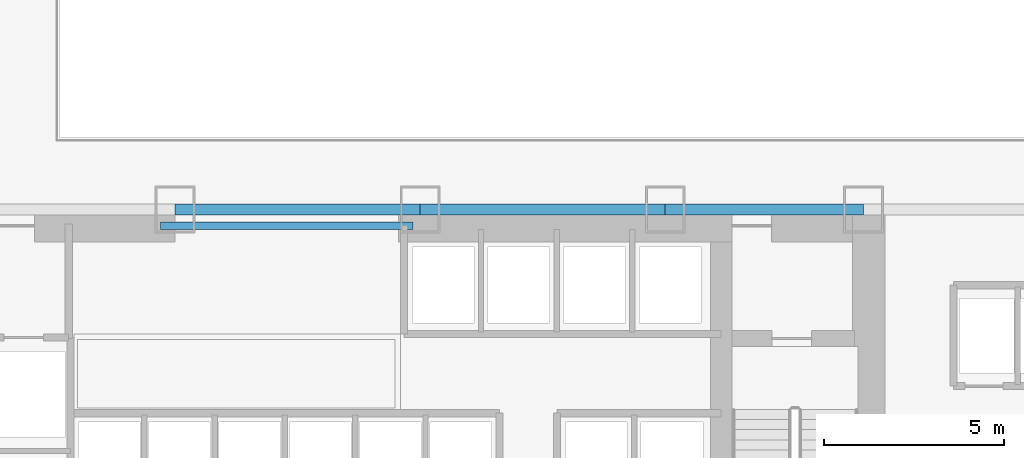
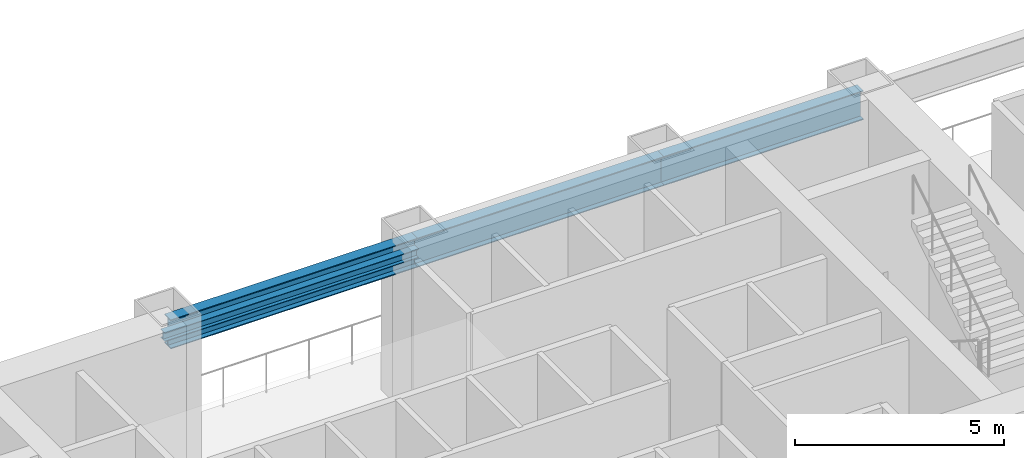
# One storey, part 7 of 39: 4 beams.
"""IFC4 building model written with IfcOpenShell, lengths in metres."""

from ifc_helpers import new_model, si_unit, derived_unit, direction, frame, origin, origin_2d, place, context, subcontext, project, spatial, i_section, extrude, source, transform, mapped, material, material_profile, profile_set, type_object, element, save


model = new_model("IFC4")

# Units and contexts
model_context = context("Model", 3, precision=1e-05, world=origin(), true_north=direction((0.0, 1.0)))
body_context = subcontext(model_context, "Body", "Model", "MODEL_VIEW")
ifc_project = project(units=[si_unit("LENGTHUNIT", "METRE"), si_unit("AREAUNIT", "SQUARE_METRE"), si_unit("VOLUMEUNIT", "CUBIC_METRE"), si_unit("PLANEANGLEUNIT", "RADIAN"), si_unit("MASSUNIT", "GRAM", prefix="KILO"), derived_unit("THERMALTRANSMITTANCEUNIT", [(si_unit("POWERUNIT", "WATT"), 1), (si_unit("LENGTHUNIT", "METRE"), -2), (si_unit("THERMODYNAMICTEMPERATUREUNIT", "KELVIN"), -1)])], contexts=[model_context])

# Site, building, storey
site_placement = place(None, origin())
site = spatial("IfcSite", under=ifc_project, at=site_placement, CompositionType="ELEMENT")
building_placement = place(site_placement, origin())
building = spatial("IfcBuilding", under=site, at=building_placement, Name="Skarnbrae Concourse Arena and Tower", CompositionType="ELEMENT")
storey_placement = place(building_placement, frame((0.0, 0.0, 16.0)))
storey = spatial("IfcBuildingStorey", under=building, at=storey_placement, Name="L03", CompositionType="ELEMENT", Elevation=16.0)

# Beams
ifc_material = material(Name="Steel CSA G40.21 350W", Category="steel")
ifc_material_profile_1 = material_profile(ifc_material, i_section(OverallWidth=0.202880859375, OverallDepth=0.251953125, WebThickness=0.008056640625, FlangeThickness=0.013427734375, at=origin_2d()), Name="W250X58")
ifc_profile_set_1 = profile_set([ifc_material_profile_1], Name="Steel CSA G40.21 350W")
beam_type_1 = type_object("IfcBeamType", Name="BM-LINTEL-W250X58", PredefinedType="LINTEL", material=ifc_profile_set_1)
shared_shape_1 = source(origin(), body_context, "Body", "SweptSolid", [
    extrude(i_section(OverallWidth=0.202880859375, OverallDepth=0.251953125, WebThickness=0.008056640625, FlangeThickness=0.013427734375, at=origin_2d()), origin(), (0.0, 0.0, 1.0), 7.0),
])
beam_1_placement = place(storey_placement, frame((14.0, 13.550048828125, 4.573974609375), z_axis=(1.0, 0.0, 0.0), x_axis=(0.0, 1.0, 0.0)))
element("IfcBeam", 1, at=beam_1_placement, inside=storey, type_object=beam_type_1, Name="L03 Core portal coupling lintel", PredefinedType="LINTEL", context=body_context, shape_type="MappedRepresentation", body=[
    mapped(shared_shape_1, transform((0.0, 0.0, 0.0))),
])
ifc_material_profile_2 = material_profile(ifc_material, i_section(OverallWidth=0.2939453125, OverallDepth=0.85107421875, WebThickness=0.01611328125, FlangeThickness=0.02685546875, at=origin_2d()), Name="W840X226")
ifc_profile_set_2 = profile_set([ifc_material_profile_2], Name="Steel CSA G40.21 350W")
beam_type_2 = type_object("IfcBeamType", Name="BM-GIRD-W840X226", PredefinedType="BEAM", material=ifc_profile_set_2)
shared_shape_2 = source(origin(), body_context, "Body", "SweptSolid", [
    extrude(i_section(OverallWidth=0.2939453125, OverallDepth=0.85107421875, WebThickness=0.01611328125, FlangeThickness=0.02685546875, at=origin_2d()), origin(), (0.0, 0.0, 1.0), 6.800048828125),
])
for number, where, z_axis, x_axis, name in (
    (2, (14.39990234375, 14.0, 4.2744140625), (1.0, 0.0, 0.0), (0.0, 1.0, 0.0), "L03 Podium south spine girder 3"),
    (3, (21.199951171875, 14.0, 4.2744140625), (1.0, 0.0, 0.0), (0.0, 1.0, 0.0), "L03 Podium south spine girder 4"),
):
    element("IfcBeam", number, at=place(storey_placement, frame(where, z_axis=z_axis, x_axis=x_axis)), inside=storey, type_object=beam_type_2, Name=name, PredefinedType="BEAM", context=body_context, shape_type="MappedRepresentation", body=[
        mapped(shared_shape_2, transform((0.0, 0.0, 0.0))),
    ])
shared_shape_3 = source(origin(), body_context, "Body", "SweptSolid", [
    extrude(i_section(OverallWidth=0.2939453125, OverallDepth=0.85107421875, WebThickness=0.01611328125, FlangeThickness=0.02685546875, at=origin_2d()), origin(), (0.0, 0.0, 1.0), 5.5),
])
beam_2_placement = place(storey_placement, frame((28.0, 14.0, 4.2744140625), z_axis=(1.0, 0.0, 0.0), x_axis=(0.0, 1.0, 0.0)))
element("IfcBeam", 4, at=beam_2_placement, inside=storey, type_object=beam_type_2, Name="L03 Podium south spine girder 5", PredefinedType="BEAM", context=body_context, shape_type="MappedRepresentation", body=[
    mapped(shared_shape_3, transform((0.0, 0.0, 0.0))),
])

save(model, "model.ifc")
